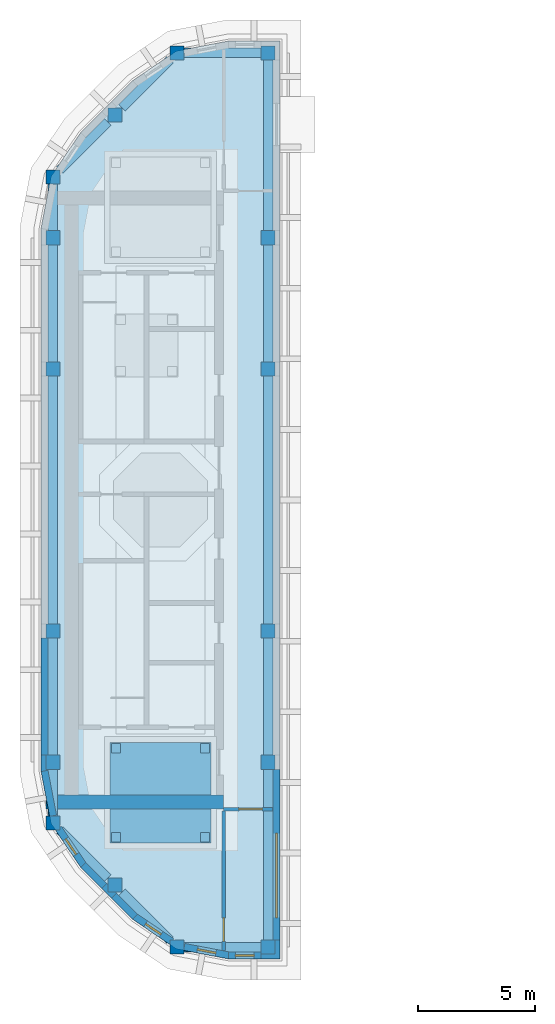
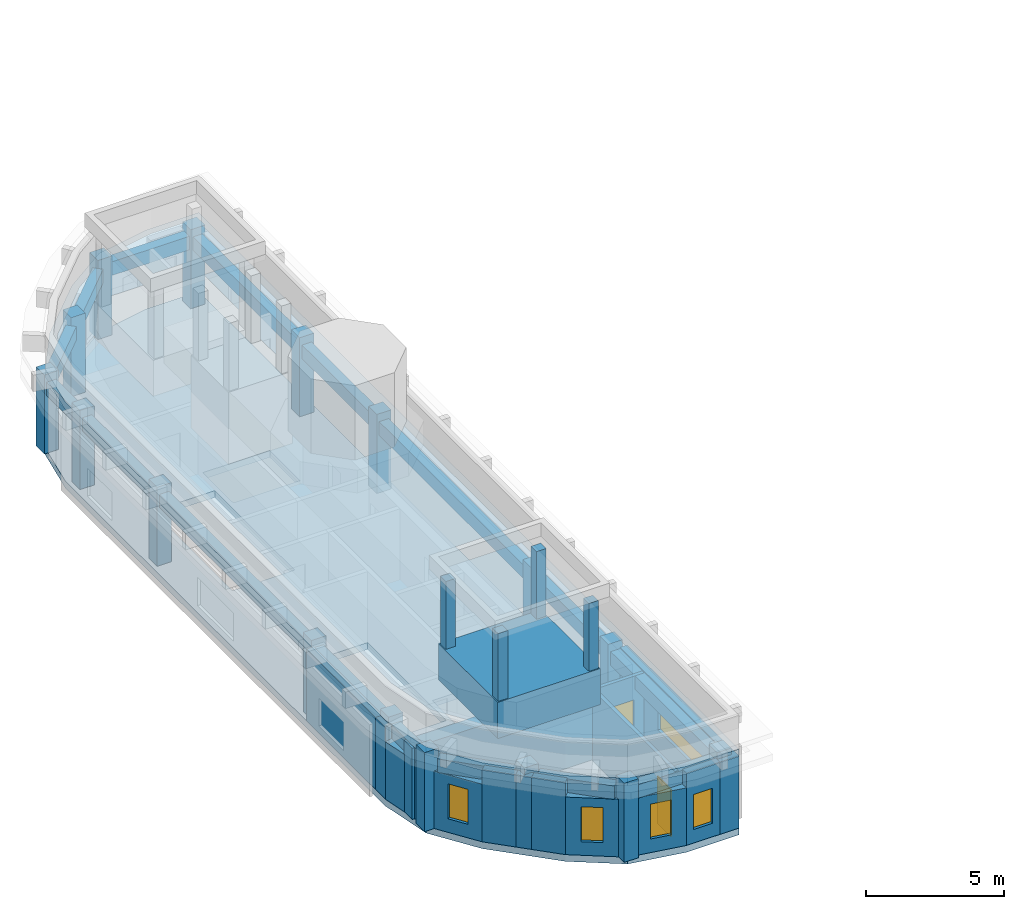
# One storey, part 1 of 4: 20 walls, 16 beams, 16 columns, 5 windows, 2 doors, 2 slabs, 7 openings.
"""IFC4 building model written with IfcOpenShell, lengths in metres."""

from ifc_helpers import new_model, si_unit, direction, frame, frame_2d, origin, origin_2d, place, context, subcontext, project, spatial, polyline, rectangle, outline, extrude, material, layer, layer_set, material_profile, profile_set, type_object, element, fill, save


model = new_model("IFC4")

# Units and contexts
model_context = context("Model", 3, precision=1e-05, world=origin(), true_north=direction((0.0, 1.0)))
body_context = subcontext(model_context, "Body", "Model", "MODEL_VIEW")
ifc_project = project(units=[si_unit("LENGTHUNIT", "METRE"), si_unit("AREAUNIT", "SQUARE_METRE"), si_unit("VOLUMEUNIT", "CUBIC_METRE"), si_unit("PLANEANGLEUNIT", "RADIAN"), si_unit("MASSUNIT", "GRAM", prefix="KILO")], contexts=[model_context])

# Site, building, storey
site_placement = place(None, origin())
site = spatial("IfcSite", under=ifc_project, at=site_placement, CompositionType="ELEMENT")
building_placement = place(site_placement, origin())
building = spatial("IfcBuilding", under=site, at=building_placement, Name="Kiln Ring Residences", CompositionType="ELEMENT")
storey_placement = place(building_placement, frame((0.0, 0.0, 320.89990234375)))
storey = spatial("IfcBuildingStorey", under=building, at=storey_placement, Name="L83 Crown", CompositionType="ELEMENT", Elevation=320.89990234375)

# Columns
ifc_material_1 = material(Name="Concrete C60/75", Category="concrete")
ifc_material_profile_1 = material_profile(ifc_material_1, rectangle(XDim=0.60009765625, YDim=0.60009765625, at=origin_2d()), Name="RC600x600")
ifc_profile_set_1 = profile_set([ifc_material_profile_1], Name="Concrete C60/75")
column_type = type_object("IfcColumnType", Name="Crown column RC600x600 C60/75", PredefinedType="COLUMN", material=ifc_profile_set_1)
for number, where, z_axis, x_axis, name in (
    (1, (-24.699951171875, -13.79296875, 0.0), (0.0, 0.0, 1.0), (1.0, 0.0, 0.0), "Crown column L83 Crown 1"),
    (2, (-24.699951171875, -11.199951171875, 0.0), (0.0, 0.0, 1.0), (1.0, 0.0, 0.0), "Crown column L83 Crown 2"),
    (3, (-24.699951171875, -5.60009765625, 0.0), (0.0, 0.0, 1.0), (1.0, 0.0, 0.0), "Crown column L83 Crown 3"),
    (4, (-24.699951171875, 5.60009765625, 0.0), (0.0, 0.0, 1.0), (1.0, 0.0, 0.0), "Crown column L83 Crown 4"),
    (5, (-24.699951171875, 11.199951171875, 0.0), (0.0, 0.0, 1.0), (1.0, 0.0, 0.0), "Crown column L83 Crown 5"),
    (6, (-24.699951171875, 13.79296875, 0.0), (0.0, 0.0, 1.0), (1.0, 0.0, 0.0), "Crown column L83 Crown 6"),
    (7, (-22.04638671875, -16.4462890625, 0.0), (0.0, 0.0, 1.0), (1.0, 0.0, 0.0), "Crown column L83 Crown 7"),
    (8, (-22.04638671875, 16.4462890625, 0.0), (0.0, 0.0, 1.0), (1.0, 0.0, 0.0), "Crown column L83 Crown 8"),
    (9, (-19.392822265625, -19.10009765625, 0.0), (0.0, 0.0, 1.0), (1.0, 0.0, 0.0), "Crown column L83 Crown 9"),
    (10, (-19.392822265625, 19.10009765625, 0.0), (0.0, 0.0, 1.0), (1.0, 0.0, 0.0), "Crown column L83 Crown 10"),
    (11, (-15.5, -19.10009765625, 0.0), (0.0, 0.0, 1.0), (1.0, 0.0, 0.0), "Crown column L83 Crown 11"),
    (12, (-15.5, -11.199951171875, 0.0), (0.0, 0.0, 1.0), (1.0, 0.0, 0.0), "Crown column L83 Crown 12"),
    (13, (-15.5, -5.60009765625, 0.0), (0.0, 0.0, 1.0), (1.0, 0.0, 0.0), "Crown column L83 Crown 13"),
    (14, (-15.5, 5.60009765625, 0.0), (0.0, 0.0, 1.0), (1.0, 0.0, 0.0), "Crown column L83 Crown 14"),
    (15, (-15.5, 11.199951171875, 0.0), (0.0, 0.0, 1.0), (1.0, 0.0, 0.0), "Crown column L83 Crown 15"),
    (16, (-15.5, 19.10009765625, 0.0), (0.0, 0.0, 1.0), (1.0, 0.0, 0.0), "Crown column L83 Crown 16"),
):
    element("IfcColumn", number, at=place(storey_placement, frame(where, z_axis=z_axis, x_axis=x_axis)), inside=storey, type_object=column_type, Name=name, PredefinedType="COLUMN", context=body_context, shape_type="SweptSolid", body=[
        extrude(rectangle(XDim=0.60009765625, YDim=0.60009765625, at=origin_2d()), origin(), (0.0, 0.0, 1.0), 3.5),
    ])

# Beams
ifc_material_2 = material(Name="Concrete C50/60", Category="concrete")
ifc_material_profile_2 = material_profile(ifc_material_2, rectangle(XDim=0.39990234375, YDim=0.60009765625, at=origin_2d()), Name="RC400x600")
ifc_profile_set_2 = profile_set([ifc_material_profile_2], Name="Concrete C50/60")
beam_type = type_object("IfcBeamType", Name="Spandrel beam RC400x600 C50/60", PredefinedType="SPANDREL", material=ifc_profile_set_2)
beam_1_placement = place(storey_placement, frame((-24.699951171875, -5.89990234375, 2.85009765625), z_axis=(0.0, -1.0, 0.0), x_axis=(1.0, 0.0, 0.0)))
element("IfcBeam", 17, at=beam_1_placement, inside=storey, type_object=beam_type, Name="Spandrel beam L83 Crown 1", PredefinedType="SPANDREL", context=body_context, shape_type="SweptSolid", body=[
    extrude(rectangle(XDim=0.39990234375, YDim=0.60009765625, at=origin_2d()), origin(), (0.0, 0.0, 1.0), 5.0),
])
beam_2_placement = place(storey_placement, frame((-24.699951171875, -11.5, 2.85009765625), z_axis=(0.0, -1.0, 0.0), x_axis=(1.0, 0.0, 0.0)))
element("IfcBeam", 18, at=beam_2_placement, inside=storey, type_object=beam_type, Name="Spandrel beam L83 Crown 2", PredefinedType="SPANDREL", context=body_context, shape_type="SweptSolid", body=[
    extrude(rectangle(XDim=0.39990234375, YDim=0.60009765625, at=origin_2d()), origin(), (0.0, 0.0, 1.0), 1.992919921875),
])
for number, where, z_axis, x_axis, name in (
    (19, (-24.39990234375, -14.0927734375, 2.85009765625), (0.707064747792, -0.707148812083, 0.0), (0.707148812083, 0.707064747792, 0.0), "Spandrel beam L83 Crown 3"),
    (20, (-21.746337890625, -16.746337890625, 2.85009765625), (0.707064747792, -0.707148812083, 0.0), (0.707148812083, 0.707064747792, 0.0), "Spandrel beam L83 Crown 4"),
):
    element("IfcBeam", number, at=place(storey_placement, frame(where, z_axis=z_axis, x_axis=x_axis)), inside=storey, type_object=beam_type, Name=name, PredefinedType="SPANDREL", context=body_context, shape_type="SweptSolid", body=[
        extrude(rectangle(XDim=0.39990234375, YDim=0.60009765625, at=origin_2d()), origin(), (0.0, 0.0, 1.0), 2.904296875),
    ])
beam_3_placement = place(storey_placement, frame((-19.093017578125, -19.10009765625, 2.85009765625), z_axis=(1.0, 0.0, 0.0), x_axis=(0.0, 1.0, 0.0)))
element("IfcBeam", 21, at=beam_3_placement, inside=storey, type_object=beam_type, Name="Spandrel beam L83 Crown 5", PredefinedType="SPANDREL", context=body_context, shape_type="SweptSolid", body=[
    extrude(rectangle(XDim=0.39990234375, YDim=0.60009765625, at=origin_2d()), origin(), (0.0, 0.0, 1.0), 3.29296875),
])
beam_4_placement = place(storey_placement, frame((-15.5, -18.800048828125, 2.85009765625), z_axis=(0.0, 1.0, 0.0), x_axis=(-1.0, 0.0, 0.0)))
element("IfcBeam", 22, at=beam_4_placement, inside=storey, type_object=beam_type, Name="Spandrel beam L83 Crown 6", PredefinedType="SPANDREL", context=body_context, shape_type="SweptSolid", body=[
    extrude(rectangle(XDim=0.39990234375, YDim=0.60009765625, at=origin_2d()), origin(), (0.0, 0.0, 1.0), 7.300048828125),
])
beam_5_placement = place(storey_placement, frame((-15.5, -10.89990234375, 2.85009765625), z_axis=(0.0, 1.0, 0.0), x_axis=(-1.0, 0.0, 0.0)))
element("IfcBeam", 23, at=beam_5_placement, inside=storey, type_object=beam_type, Name="Spandrel beam L83 Crown 7", PredefinedType="SPANDREL", context=body_context, shape_type="SweptSolid", body=[
    extrude(rectangle(XDim=0.39990234375, YDim=0.60009765625, at=origin_2d()), origin(), (0.0, 0.0, 1.0), 5.0),
])
beam_6_placement = place(storey_placement, frame((-15.5, -5.300048828125, 2.85009765625), z_axis=(0.0, 1.0, 0.0), x_axis=(-1.0, 0.0, 0.0)))
element("IfcBeam", 24, at=beam_6_placement, inside=storey, type_object=beam_type, Name="Spandrel beam L83 Crown 8", PredefinedType="SPANDREL", context=body_context, shape_type="SweptSolid", body=[
    extrude(rectangle(XDim=0.39990234375, YDim=0.60009765625, at=origin_2d()), origin(), (0.0, 0.0, 1.0), 10.60009765625),
])
beam_7_placement = place(storey_placement, frame((-15.5, 5.89990234375, 2.85009765625), z_axis=(0.0, 1.0, 0.0), x_axis=(-1.0, 0.0, 0.0)))
element("IfcBeam", 25, at=beam_7_placement, inside=storey, type_object=beam_type, Name="Spandrel beam L83 Crown 9", PredefinedType="SPANDREL", context=body_context, shape_type="SweptSolid", body=[
    extrude(rectangle(XDim=0.39990234375, YDim=0.60009765625, at=origin_2d()), origin(), (0.0, 0.0, 1.0), 5.0),
])
beam_8_placement = place(storey_placement, frame((-15.5, 11.5, 2.85009765625), z_axis=(0.0, 1.0, 0.0), x_axis=(-1.0, 0.0, 0.0)))
element("IfcBeam", 26, at=beam_8_placement, inside=storey, type_object=beam_type, Name="Spandrel beam L83 Crown 10", PredefinedType="SPANDREL", context=body_context, shape_type="SweptSolid", body=[
    extrude(rectangle(XDim=0.39990234375, YDim=0.60009765625, at=origin_2d()), origin(), (0.0, 0.0, 1.0), 7.300048828125),
])
beam_9_placement = place(storey_placement, frame((-15.800048828125, 19.10009765625, 2.85009765625), z_axis=(-1.0, 0.0, 0.0), x_axis=(0.0, -1.0, 0.0)))
element("IfcBeam", 27, at=beam_9_placement, inside=storey, type_object=beam_type, Name="Spandrel beam L83 Crown 11", PredefinedType="SPANDREL", context=body_context, shape_type="SweptSolid", body=[
    extrude(rectangle(XDim=0.39990234375, YDim=0.60009765625, at=origin_2d()), origin(), (0.0, 0.0, 1.0), 3.29296875),
])
for number, where, z_axis, x_axis, name in (
    (28, (-19.69287109375, 18.800048828125, 2.85009765625), (-0.707064747792, -0.707148812083, 0.0), (0.707148812083, -0.707064747792, 0.0), "Spandrel beam L83 Crown 12"),
    (29, (-22.346435546875, 16.146484375, 2.85009765625), (-0.707064747792, -0.707148812083, 0.0), (0.707148812083, -0.707064747792, 0.0), "Spandrel beam L83 Crown 13"),
):
    element("IfcBeam", number, at=place(storey_placement, frame(where, z_axis=z_axis, x_axis=x_axis)), inside=storey, type_object=beam_type, Name=name, PredefinedType="SPANDREL", context=body_context, shape_type="SweptSolid", body=[
        extrude(rectangle(XDim=0.39990234375, YDim=0.60009765625, at=origin_2d()), origin(), (0.0, 0.0, 1.0), 2.904296875),
    ])
beam_10_placement = place(storey_placement, frame((-24.699951171875, 13.492919921875, 2.85009765625), z_axis=(0.0, -1.0, 0.0), x_axis=(1.0, 0.0, 0.0)))
element("IfcBeam", 30, at=beam_10_placement, inside=storey, type_object=beam_type, Name="Spandrel beam L83 Crown 14", PredefinedType="SPANDREL", context=body_context, shape_type="SweptSolid", body=[
    extrude(rectangle(XDim=0.39990234375, YDim=0.60009765625, at=origin_2d()), origin(), (0.0, 0.0, 1.0), 1.992919921875),
])
beam_11_placement = place(storey_placement, frame((-24.699951171875, 10.89990234375, 2.85009765625), z_axis=(0.0, -1.0, 0.0), x_axis=(1.0, 0.0, 0.0)))
element("IfcBeam", 31, at=beam_11_placement, inside=storey, type_object=beam_type, Name="Spandrel beam L83 Crown 15", PredefinedType="SPANDREL", context=body_context, shape_type="SweptSolid", body=[
    extrude(rectangle(XDim=0.39990234375, YDim=0.60009765625, at=origin_2d()), origin(), (0.0, 0.0, 1.0), 5.0),
])
beam_12_placement = place(storey_placement, frame((-24.699951171875, 5.300048828125, 2.85009765625), z_axis=(0.0, -1.0, 0.0), x_axis=(1.0, 0.0, 0.0)))
element("IfcBeam", 32, at=beam_12_placement, inside=storey, type_object=beam_type, Name="Spandrel beam L83 Crown 16", PredefinedType="SPANDREL", context=body_context, shape_type="SweptSolid", body=[
    extrude(rectangle(XDim=0.39990234375, YDim=0.60009765625, at=origin_2d()), origin(), (0.0, 0.0, 1.0), 10.60009765625),
])

# Slabs
ifc_material_3 = material(Name="Concrete C40/50", Category="concrete")
ifc_layer_1 = layer(ifc_material_3, 0.300048828125)
ifc_layer_set_1 = layer_set([ifc_layer_1], Name="Floor slab 300")
slab_type_1 = type_object("IfcSlabType", Name="Floor slab 300", PredefinedType="FLOOR", material=ifc_layer_set_1)
slab_1_placement = place(storey_placement, frame((0.0, 0.0, -0.2998046875)))
element("IfcSlab", 33, at=slab_1_placement, inside=storey, type_object=slab_type_1, Name="Floor slab L83 Crown 1", PredefinedType="FLOOR", context=body_context, shape_type="SweptSolid", body=[
    extrude(outline(polyline([(-19.42431640625, -19.17578125), (-17.199951171875, -19.60009765625), (-15.0, -19.60009765625), (-15.0, 19.60009765625), (-17.199951171875, 19.60009765625), (-19.42431640625, 19.17578125), (-21.297119140625, 17.90283203125), (-23.5029296875, 15.697021484375), (-24.775634765625, 13.82421875), (-25.199951171875, 11.60009765625), (-25.199951171875, -11.60009765625), (-24.775634765625, -13.82421875), (-23.5029296875, -15.697021484375), (-21.297119140625, -17.90283203125), (-19.42431640625, -19.17578125)]), holes=[polyline([(-20.60009765625, -7.050048828125), (-17.800048828125, -7.050048828125), (-17.800048828125, -9.60009765625), (-20.60009765625, -9.60009765625), (-20.60009765625, -7.050048828125)]), polyline([(-17.800048828125, 9.60009765625), (-17.800048828125, 7.39990234375), (-20.60009765625, 7.39990234375), (-20.60009765625, 9.60009765625), (-17.800048828125, 9.60009765625)]), polyline([(-23.39990234375, 8.39794921875), (-20.800048828125, 8.39794921875), (-20.800048828125, 2.60009765625), (-23.39990234375, 2.60009765625), (-23.39990234375, 8.39794921875)]), polyline([(-20.800048828125, -2.699951171875), (-20.800048828125, -8.39794921875), (-23.39990234375, -8.39794921875), (-23.39990234375, -2.699951171875), (-20.800048828125, -2.699951171875)])]), origin(), (0.0, 0.0, 1.0), 0.2998046875),
])
ifc_material_4 = material(Name="Concrete C40/50", Category="concrete")
ifc_layer_2 = layer(ifc_material_4, 0.35009765625)
ifc_layer_set_2 = layer_set([ifc_layer_2], Name="Roof slab 350")
slab_type_2 = type_object("IfcSlabType", Name="Roof slab 350", PredefinedType="ROOF", material=ifc_layer_set_2)
slab_2_placement = place(storey_placement, frame((0.0, 0.0, 3.150146484375)))
element("IfcSlab", 34, at=slab_2_placement, inside=storey, type_object=slab_type_2, Name="Roof slab L83 Crown 1", PredefinedType="ROOF", context=body_context, shape_type="SweptSolid", body=[
    extrude(outline(polyline([(-19.42431640625, -19.17578125), (-17.199951171875, -19.60009765625), (-15.0, -19.60009765625), (-15.0, 19.60009765625), (-17.199951171875, 19.60009765625), (-19.42431640625, 19.17578125), (-21.297119140625, 17.90283203125), (-23.5029296875, 15.697021484375), (-24.775634765625, 13.82421875), (-25.199951171875, 11.60009765625), (-25.199951171875, -11.60009765625), (-24.775634765625, -13.82421875), (-23.5029296875, -15.697021484375), (-21.297119140625, -17.90283203125), (-19.42431640625, -19.17578125)])), origin(), (0.0, 0.0, 1.0), 0.349853515625),
])

# Walls
ifc_material_5 = material(Name="Brick masonry, dark clay brick", Category="masonry")
ifc_layer_3 = layer(ifc_material_5, 0.39990234375)
ifc_layer_set_3 = layer_set([ifc_layer_3], Name="CHHATRI POST 400")
wall_type_1 = type_object("IfcWallType", Name="CHHATRI POST 400", PredefinedType="SOLIDWALL", material=ifc_layer_set_3)
placement_1 = place(storey_placement, frame((0.0, 0.0, 5.10009765625)))
element("IfcWall", 35, at=placement_1, inside=storey, type_object=wall_type_1, Name="CHHATRI POST L83 Crown", PredefinedType="SOLIDWALL", context=body_context, shape_type="SweptSolid", body=[
    extrude(outline(polyline([(-21.800048828125, -14.60009765625), (-21.800048828125, -14.199951171875), (-22.199951171875, -14.199951171875), (-22.199951171875, -14.60009765625), (-21.800048828125, -14.60009765625)])), origin(), (0.0, 0.0, 1.0), 3.0),
])
element("IfcWall", 36, at=placement_1, inside=storey, type_object=wall_type_1, Name="CHHATRI POST L83 Crown", PredefinedType="SOLIDWALL", context=body_context, shape_type="SweptSolid", body=[
    extrude(outline(polyline([(-18.0, -14.60009765625), (-18.0, -14.199951171875), (-18.39990234375, -14.199951171875), (-18.39990234375, -14.60009765625), (-18.0, -14.60009765625)])), origin(), (0.0, 0.0, 1.0), 3.0),
])
element("IfcWall", 37, at=placement_1, inside=storey, type_object=wall_type_1, Name="CHHATRI POST L83 Crown", PredefinedType="SOLIDWALL", context=body_context, shape_type="SweptSolid", body=[
    extrude(outline(polyline([(-18.0, -10.800048828125), (-18.0, -10.39990234375), (-18.39990234375, -10.39990234375), (-18.39990234375, -10.800048828125), (-18.0, -10.800048828125)])), origin(), (0.0, 0.0, 1.0), 3.0),
])
element("IfcWall", 38, at=placement_1, inside=storey, type_object=wall_type_1, Name="CHHATRI POST L83 Crown", PredefinedType="SOLIDWALL", context=body_context, shape_type="SweptSolid", body=[
    extrude(outline(polyline([(-21.800048828125, -10.800048828125), (-21.800048828125, -10.39990234375), (-22.199951171875, -10.39990234375), (-22.199951171875, -10.800048828125), (-21.800048828125, -10.800048828125)])), origin(), (0.0, 0.0, 1.0), 3.0),
])
ifc_material_6 = material(Name="Concrete C60/75", Category="concrete")
ifc_layer_4 = layer(ifc_material_6, 0.60009765625)
ifc_layer_set_4 = layer_set([ifc_layer_4], Name="CORE-WALL-RC600")
wall_type_2 = type_object("IfcWallType", Name="CORE-WALL-RC600", PredefinedType="SHEAR", material=ifc_layer_set_4)
wall_5_placement = place(storey_placement, frame((-17.39990234375, -12.89990234375, 0.0), z_axis=(0.0, 0.0, 1.0), x_axis=(-1.0, 0.0, 0.0)))
element("IfcWall", 39, at=wall_5_placement, inside=storey, type_object=wall_type_2, Name="Core wall west L83 Crown 5", PredefinedType="SHEAR", context=body_context, shape_type="SweptSolid", body=[
    extrude(rectangle(XDim=7.60009765625, YDim=0.60009765625, at=frame_2d((3.800048828125, 0.0))), origin(), (0.0, 0.0, 1.0), 3.150146484375),
])

# Wall, opening, window
ifc_material_7 = material(Name="Brick masonry, dark clay brick", Category="masonry")
ifc_layer_5 = layer(ifc_material_7, 0.300048828125)
ifc_layer_set_5 = layer_set([ifc_layer_5], Name="EW-300 BRICK WALL")
wall_type_3 = type_object("IfcWallType", Name="EW-300 BRICK WALL", PredefinedType="SOLIDWALL", material=ifc_layer_set_5)
wall_6_placement = place(storey_placement, frame((-19.085205078125, -19.087646484375, 0.0), z_axis=(0.0, 0.0, 1.0), x_axis=(0.982286967073, -0.187382801553, 0.0)))
wall_6 = element("IfcWall", 40, at=wall_6_placement, inside=storey, type_object=wall_type_3, Name="Facade wall L83 Crown 1", PredefinedType="SOLIDWALL", context=body_context, shape_type="SweptSolid", body=[
    extrude(rectangle(XDim=1.94775390625, YDim=0.300048828125, at=frame_2d((0.973876953125, 0.0))), origin(), (0.0, 0.0, 1.0), 2.550048828125),
])
opening_1_placement = place(wall_6_placement, frame((0.573974609375, 0.0, 0.60009765625)))
opening_1 = element("IfcOpeningElement", 41, at=opening_1_placement, cuts=wall_6, Name="Opening W5", PredefinedType="OPENING", context=body_context, shape_type="SweptSolid", body=[
    extrude(rectangle(XDim=0.800048828125, YDim=1.550048828125, at=frame_2d((0.39990234375, 0.77490234375))), frame((0.0, 0.159912109375, 0.0), z_axis=(0.0, -1.0, 0.0), x_axis=(1.0, 0.0, 0.0)), (0.0, 0.0, 1.0), 0.320068359375),
])
ifc_material_8 = material(Name="Aluminium frame with double glazing", Category="aluminium")
window_type_1 = type_object("IfcWindowType", Name="WINDOW 800 x 1550", PartitioningType="SINGLE_PANEL", PredefinedType="WINDOW", material=ifc_material_8)
window_1_placement = place(opening_1_placement, origin())
window_1 = element("IfcWindow", 42, at=window_1_placement, inside=storey, type_object=window_type_1, Name="Window L83 Crown 1", OverallHeight=1.550048828125, OverallWidth=0.800048828125, PartitioningType="SINGLE_PANEL", PredefinedType="WINDOW", context=body_context, shape_type="SweptSolid", body=[
    extrude(rectangle(XDim=0.800048828125, YDim=1.550048828125, at=frame_2d((0.39990234375, 0.77490234375))), frame((0.0, 0.030029296875, 0.0), z_axis=(0.0, -1.0, 0.0), x_axis=(1.0, 0.0, 0.0)), (0.0, 0.0, 1.0), 0.06005859375),
])
fill(opening_1, window_1)

wall_7_placement = place(storey_placement, frame((-17.199951171875, -19.449951171875, 0.0), z_axis=(0.0, 0.0, 1.0), x_axis=(1.0, 0.0, 0.0)))
wall_7 = element("IfcWall", 43, at=wall_7_placement, inside=storey, type_object=wall_type_3, Name="Facade wall L83 Crown 2", PredefinedType="SOLIDWALL", context=body_context, shape_type="SweptSolid", body=[
    extrude(rectangle(XDim=1.39990234375, YDim=0.300048828125, at=frame_2d((0.699951171875, 0.0))), origin(), (0.0, 0.0, 1.0), 3.2001953125),
])
opening_2_placement = place(wall_7_placement, frame((0.300048828125, 0.0, 0.60009765625)))
opening_2 = element("IfcOpeningElement", 44, at=opening_2_placement, cuts=wall_7, Name="Opening W5", PredefinedType="OPENING", context=body_context, shape_type="SweptSolid", body=[
    extrude(rectangle(XDim=0.800048828125, YDim=1.550048828125, at=frame_2d((0.39990234375, 0.77490234375))), frame((0.0, 0.159912109375, 0.0), z_axis=(0.0, -1.0, 0.0), x_axis=(1.0, 0.0, 0.0)), (0.0, 0.0, 1.0), 0.320068359375),
])
window_2_placement = place(opening_2_placement, origin())
window_2 = element("IfcWindow", 45, at=window_2_placement, inside=storey, type_object=window_type_1, Name="Window L83 Crown 2", OverallHeight=1.550048828125, OverallWidth=0.800048828125, PartitioningType="SINGLE_PANEL", PredefinedType="WINDOW", context=body_context, shape_type="SweptSolid", body=[
    extrude(rectangle(XDim=0.800048828125, YDim=1.550048828125, at=frame_2d((0.39990234375, 0.77490234375))), frame((0.0, 0.030029296875, 0.0), z_axis=(0.0, -1.0, 0.0), x_axis=(1.0, 0.0, 0.0)), (0.0, 0.0, 1.0), 0.06005859375),
])
fill(opening_2, window_2)

wall_8_placement = place(storey_placement, frame((-15.14990234375, -18.800048828125, 0.0), z_axis=(0.0, 0.0, 1.0), x_axis=(0.0, 1.0, 0.0)))
wall_8 = element("IfcWall", 46, at=wall_8_placement, inside=storey, type_object=wall_type_3, Name="Facade wall L83 Crown 3", PredefinedType="SOLIDWALL", context=body_context, shape_type="SweptSolid", body=[
    extrude(rectangle(XDim=7.300048828125, YDim=0.300048828125, at=frame_2d((3.64990234375, 0.0))), origin(), (0.0, 0.0, 1.0), 3.2001953125),
])
opening_3_placement = place(wall_8_placement, frame((0.96240234375, 0.0, 1.199951171875)))
opening_3 = element("IfcOpeningElement", 47, at=opening_3_placement, cuts=wall_8, Name="Opening W4", PredefinedType="OPENING", context=body_context, shape_type="SweptSolid", body=[
    extrude(rectangle(XDim=3.60009765625, YDim=0.949951171875, at=frame_2d((1.800048828125, 0.47509765625))), frame((0.0, 0.159912109375, 0.0), z_axis=(0.0, -1.0, 0.0), x_axis=(1.0, 0.0, 0.0)), (0.0, 0.0, 1.0), 0.320068359375),
])
ifc_material_9 = material(Name="Aluminium frame with double glazing", Category="aluminium")
window_type_2 = type_object("IfcWindowType", Name="WINDOW 3600 x 950", PartitioningType="SINGLE_PANEL", PredefinedType="WINDOW", material=ifc_material_9)
window_3_placement = place(opening_3_placement, origin())
window_3 = element("IfcWindow", 48, at=window_3_placement, inside=storey, type_object=window_type_2, Name="Window L83 Crown 3", OverallHeight=0.949951171875, OverallWidth=3.60009765625, PartitioningType="SINGLE_PANEL", PredefinedType="WINDOW", context=body_context, shape_type="SweptSolid", body=[
    extrude(rectangle(XDim=3.60009765625, YDim=0.949951171875, at=frame_2d((1.800048828125, 0.47509765625))), frame((0.0, 0.030029296875, 0.0), z_axis=(0.0, -1.0, 0.0), x_axis=(1.0, 0.0, 0.0)), (0.0, 0.0, 1.0), 0.06005859375),
])
fill(opening_3, window_3)

# Walls
wall_9_placement = place(storey_placement, frame((-25.050048828125, -5.89990234375, 0.0), z_axis=(0.0, 0.0, 1.0), x_axis=(0.0, -1.0, 0.0)))
element("IfcWall", 49, at=wall_9_placement, inside=storey, type_object=wall_type_3, Name="Facade wall L83 Crown 17", PredefinedType="SOLIDWALL", context=body_context, shape_type="SweptSolid", body=[
    extrude(rectangle(XDim=5.0, YDim=0.300048828125, at=frame_2d((2.5, 0.0))), origin(), (0.0, 0.0, 1.0), 3.2001953125),
])
wall_10_placement = place(storey_placement, frame((-25.052490234375, -11.57275390625, 0.0), z_axis=(0.0, 0.0, 1.0), x_axis=(0.187354129902, -0.982292436095, 0.0)))
element("IfcWall", 50, at=wall_10_placement, inside=storey, type_object=wall_type_3, Name="Facade wall L83 Crown 18", PredefinedType="SOLIDWALL", context=body_context, shape_type="SweptSolid", body=[
    extrude(rectangle(XDim=1.94677734375, YDim=0.300048828125, at=frame_2d((0.973388671875, 0.0))), origin(), (0.0, 0.0, 1.0), 2.550048828125),
])

# Wall, opening, window
wall_11_placement = place(storey_placement, frame((-24.4736328125, -14.001708984375, 0.0), z_axis=(0.0, 0.0, 1.0), x_axis=(0.562025435703, -0.827119948752, 0.0)))
wall_11 = element("IfcWall", 51, at=wall_11_placement, inside=storey, type_object=wall_type_3, Name="Facade wall L83 Crown 19", PredefinedType="SOLIDWALL", context=body_context, shape_type="SweptSolid", body=[
    extrude(rectangle(XDim=1.94775390625, YDim=0.300048828125, at=frame_2d((0.973876953125, 0.0))), origin(), (0.0, 0.0, 1.0), 2.550048828125),
])
opening_4_placement = place(wall_11_placement, frame((0.573974609375, 0.0, 0.60009765625)))
opening_4 = element("IfcOpeningElement", 52, at=opening_4_placement, cuts=wall_11, Name="Opening W5", PredefinedType="OPENING", context=body_context, shape_type="SweptSolid", body=[
    extrude(rectangle(XDim=0.800048828125, YDim=1.550048828125, at=frame_2d((0.39990234375, 0.77490234375))), frame((0.0, 0.159912109375, 0.0), z_axis=(0.0, -1.0, 0.0), x_axis=(1.0, 0.0, 0.0)), (0.0, 0.0, 1.0), 0.320068359375),
])
window_4_placement = place(opening_4_placement, origin())
window_4 = element("IfcWindow", 53, at=window_4_placement, inside=storey, type_object=window_type_1, Name="Window L83 Crown 9", OverallHeight=1.550048828125, OverallWidth=0.800048828125, PartitioningType="SINGLE_PANEL", PredefinedType="WINDOW", context=body_context, shape_type="SweptSolid", body=[
    extrude(rectangle(XDim=0.800048828125, YDim=1.550048828125, at=frame_2d((0.39990234375, 0.77490234375))), frame((0.0, 0.030029296875, 0.0), z_axis=(0.0, -1.0, 0.0), x_axis=(1.0, 0.0, 0.0)), (0.0, 0.0, 1.0), 0.06005859375),
])
fill(opening_4, window_4)

# Walls
for number, where, z_axis, x_axis, name in (
    (54, (-23.39697265625, -15.591064453125, 0.0), (0.0, 0.0, 1.0), (0.707203678312, -0.707009870781, 0.0), "Facade wall L83 Crown 20"),
    (55, (-22.081787109375, -16.906005859375, 0.0), (0.0, 0.0, 1.0), (0.707106781187, -0.707106781187, 0.0), "Facade wall L83 Crown 21"),
):
    element("IfcWall", number, at=place(storey_placement, frame(where, z_axis=z_axis, x_axis=x_axis)), inside=storey, type_object=wall_type_3, Name=name, PredefinedType="SOLIDWALL", context=body_context, shape_type="SweptSolid", body=[
        extrude(rectangle(XDim=1.259765625, YDim=0.300048828125, at=frame_2d((0.6298828125, 0.0))), origin(), (0.0, 0.0, 1.0), 3.2001953125),
    ])

# Wall, opening, window
wall_12_placement = place(storey_placement, frame((-21.212646484375, -17.77880859375, 0.0), z_axis=(0.0, 0.0, 1.0), x_axis=(0.827022075481, -0.562169446579, 0.0)))
wall_12 = element("IfcWall", 56, at=wall_12_placement, inside=storey, type_object=wall_type_3, Name="Facade wall L83 Crown 22", PredefinedType="SOLIDWALL", context=body_context, shape_type="SweptSolid", body=[
    extrude(rectangle(XDim=1.94775390625, YDim=0.300048828125, at=frame_2d((0.973876953125, 0.0))), origin(), (0.0, 0.0, 1.0), 2.550048828125),
])
opening_5_placement = place(wall_12_placement, frame((0.573974609375, 0.0, 0.60009765625)))
opening_5 = element("IfcOpeningElement", 57, at=opening_5_placement, cuts=wall_12, Name="Opening W5", PredefinedType="OPENING", context=body_context, shape_type="SweptSolid", body=[
    extrude(rectangle(XDim=0.800048828125, YDim=1.550048828125, at=frame_2d((0.39990234375, 0.77490234375))), frame((0.0, 0.159912109375, 0.0), z_axis=(0.0, -1.0, 0.0), x_axis=(1.0, 0.0, 0.0)), (0.0, 0.0, 1.0), 0.320068359375),
])
window_5_placement = place(opening_5_placement, origin())
window_5 = element("IfcWindow", 58, at=window_5_placement, inside=storey, type_object=window_type_1, Name="Window L83 Crown 10", OverallHeight=1.550048828125, OverallWidth=0.800048828125, PartitioningType="SINGLE_PANEL", PredefinedType="WINDOW", context=body_context, shape_type="SweptSolid", body=[
    extrude(rectangle(XDim=0.800048828125, YDim=1.550048828125, at=frame_2d((0.39990234375, 0.77490234375))), frame((0.0, 0.030029296875, 0.0), z_axis=(0.0, -1.0, 0.0), x_axis=(1.0, 0.0, 0.0)), (0.0, 0.0, 1.0), 0.06005859375),
])
fill(opening_5, window_5)

# Walls
placement_2 = place(storey_placement, origin())
element("IfcWall", 59, at=placement_2, inside=storey, type_object=wall_type_3, Name="Corner wall L83 Crown 1", PredefinedType="SOLIDWALL", context=body_context, shape_type="SweptSolid", body=[
    extrude(outline(polyline([(-22.39990234375, -16.375732421875), (-22.612060546875, -16.587890625), (-22.18798828125, -17.01220703125), (-21.9755859375, -16.800048828125), (-22.029296875, -16.746337890625), (-22.346435546875, -16.746337890625), (-22.346435546875, -16.42919921875), (-22.39990234375, -16.375732421875)])), origin(), (0.0, 0.0, 1.0), 3.2001953125),
])
element("IfcWall", 60, at=placement_2, inside=storey, type_object=wall_type_3, Name="Corner wall L83 Crown 2", PredefinedType="SOLIDWALL", context=body_context, shape_type="SweptSolid", body=[
    extrude(outline(polyline([(-25.199951171875, -10.89990234375), (-25.199951171875, -11.600830078125), (-24.9033203125, -11.544189453125), (-24.89990234375, -11.56103515625), (-24.89990234375, -11.5), (-25.0, -11.5), (-25.0, -10.89990234375), (-25.199951171875, -10.89990234375)])), origin(), (0.0, 0.0, 1.0), 3.2001953125),
])
element("IfcWall", 61, at=placement_2, inside=storey, type_object=wall_type_3, Name="Corner wall L83 Crown 12", PredefinedType="SOLIDWALL", context=body_context, shape_type="SweptSolid", body=[
    extrude(outline(polyline([(-15.800048828125, -19.60009765625), (-15.0, -19.60009765625), (-15.0, -18.800048828125), (-15.199951171875, -18.800048828125), (-15.199951171875, -19.39990234375), (-15.800048828125, -19.39990234375), (-15.800048828125, -19.60009765625)])), origin(), (0.0, 0.0, 1.0), 3.2001953125),
])
ifc_material_10 = material(Name="Brick masonry, dark clay brick", Category="masonry")
ifc_layer_6 = layer(ifc_material_10, 0.5)
ifc_layer_set_6 = layer_set([ifc_layer_6], Name="KIOSK PLINTH 500")
wall_type_4 = type_object("IfcWallType", Name="KIOSK PLINTH 500", PredefinedType="SOLIDWALL", material=ifc_layer_set_6)
wall_16_placement = place(storey_placement, frame((0.0, 0.0, 3.5)))
element("IfcWall", 62, at=wall_16_placement, inside=storey, type_object=wall_type_4, Name="KIOSK PLINTH L83 Crown", PredefinedType="SOLIDWALL", context=body_context, shape_type="SweptSolid", body=[
    extrude(outline(polyline([(-17.949951171875, -14.64990234375), (-17.949951171875, -10.35009765625), (-22.25, -10.35009765625), (-22.25, -14.64990234375), (-17.949951171875, -14.64990234375)])), origin(), (0.0, 0.0, 1.0), 1.60009765625),
])

# Wall, opening, door
ifc_material_11 = material(Name="Brick masonry partition", Category="masonry")
ifc_layer_7 = layer(ifc_material_11, 0.14990234375)
ifc_layer_set_7 = layer_set([ifc_layer_7], Name="PARTITION-150-ei60")
wall_type_5 = type_object("IfcWallType", Name="PARTITION-150-ei60", PredefinedType="PARTITIONING", material=ifc_layer_set_7)
wall_17_placement = place(storey_placement, frame((-17.405029296875, -13.199951171875, 0.0), z_axis=(0.0, 0.0, 1.0), x_axis=(1.0, 0.0, 0.0)))
wall_17 = element("IfcWall", 63, at=wall_17_placement, inside=storey, type_object=wall_type_5, Name="Partition 000", PredefinedType="PARTITIONING", context=body_context, shape_type="SweptSolid", body=[
    extrude(rectangle(XDim=2.0849609375, YDim=0.14990234375, at=frame_2d((1.04248046875, 0.0))), origin(), (0.0, 0.0, 1.0), 3.150146484375),
])
opening_6_placement = place(wall_17_placement, frame((0.655029296875, 0.0, 0.0)))
opening_6 = element("IfcOpeningElement", 64, at=opening_6_placement, cuts=wall_17, Name="Opening L83-D003", PredefinedType="OPENING", context=body_context, shape_type="SweptSolid", body=[
    extrude(rectangle(XDim=1.0, YDim=2.10009765625, at=frame_2d((0.5, 1.050048828125))), frame((0.0, 0.0849609375, 0.0), z_axis=(0.0, -1.0, 0.0), x_axis=(1.0, 0.0, 0.0)), (0.0, 0.0, 1.0), 0.169921875),
])
ifc_material_12 = material(Name="Steel faced fire door leaf", Category="steel")
door_type = type_object("IfcDoorType", Name="FLAT-DOOR-1000-FR", OperationType="SINGLE_SWING_LEFT", PredefinedType="DOOR", material=ifc_material_12)
door_1_placement = place(opening_6_placement, origin())
door_1 = element("IfcDoor", 65, at=door_1_placement, inside=storey, type_object=door_type, Name="Door L83-D003", OperationType="SINGLE_SWING_RIGHT", OverallHeight=2.10009765625, OverallWidth=1.0, PredefinedType="DOOR", context=body_context, shape_type="SweptSolid", body=[
    extrude(rectangle(XDim=1.0, YDim=2.10009765625, at=frame_2d((0.5, 1.050048828125))), frame((0.0, 0.02490234375, 0.0), z_axis=(0.0, -1.0, 0.0), x_axis=(1.0, 0.0, 0.0)), (0.0, 0.0, 1.0), 0.050048828125),
])
fill(opening_6, door_1)

wall_18_placement = place(storey_placement, frame((-17.39990234375, -19.236328125, 0.0), z_axis=(0.0, 0.0, 1.0), x_axis=(0.0, 1.0, 0.0)))
wall_18 = element("IfcWall", 66, at=wall_18_placement, inside=storey, type_object=wall_type_5, Name="Partition 002", PredefinedType="PARTITIONING", context=body_context, shape_type="SweptSolid", body=[
    extrude(rectangle(XDim=5.96142578125, YDim=0.14990234375, at=frame_2d((2.980712890625, 0.0))), origin(), (0.0, 0.0, 1.0), 3.150146484375),
])
opening_7_placement = place(wall_18_placement, frame((0.386474609375, 0.0, 0.0)))
opening_7 = element("IfcOpeningElement", 67, at=opening_7_placement, cuts=wall_18, Name="Opening L83-D004", PredefinedType="OPENING", context=body_context, shape_type="SweptSolid", body=[
    extrude(rectangle(XDim=1.0, YDim=2.10009765625, at=frame_2d((0.5, 1.050048828125))), frame((0.0, 0.0849609375, 0.0), z_axis=(0.0, -1.0, 0.0), x_axis=(1.0, 0.0, 0.0)), (0.0, 0.0, 1.0), 0.169921875),
])
door_2_placement = place(opening_7_placement, origin())
door_2 = element("IfcDoor", 68, at=door_2_placement, inside=storey, type_object=door_type, Name="Door L83-D004", OperationType="SINGLE_SWING_RIGHT", OverallHeight=2.10009765625, OverallWidth=1.0, PredefinedType="DOOR", context=body_context, shape_type="SweptSolid", body=[
    extrude(rectangle(XDim=1.0, YDim=2.10009765625, at=frame_2d((0.5, 1.050048828125))), frame((0.0, 0.02490234375, 0.0), z_axis=(0.0, -1.0, 0.0), x_axis=(1.0, 0.0, 0.0)), (0.0, 0.0, 1.0), 0.050048828125),
])
fill(opening_7, door_2)

save(model, "model.ifc")
